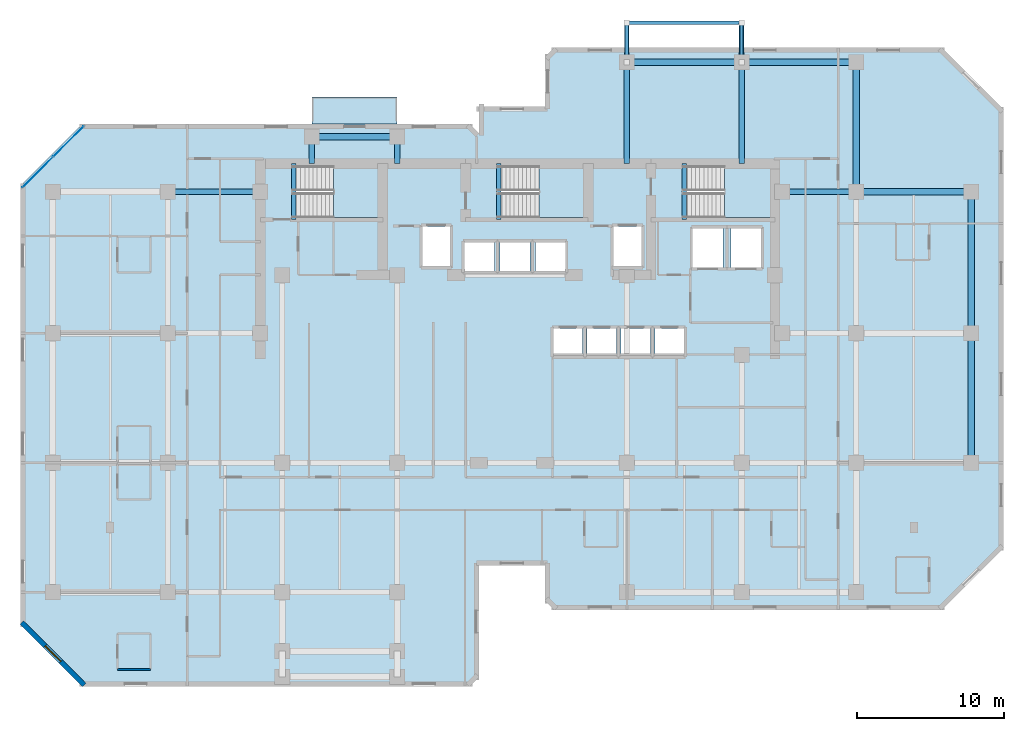
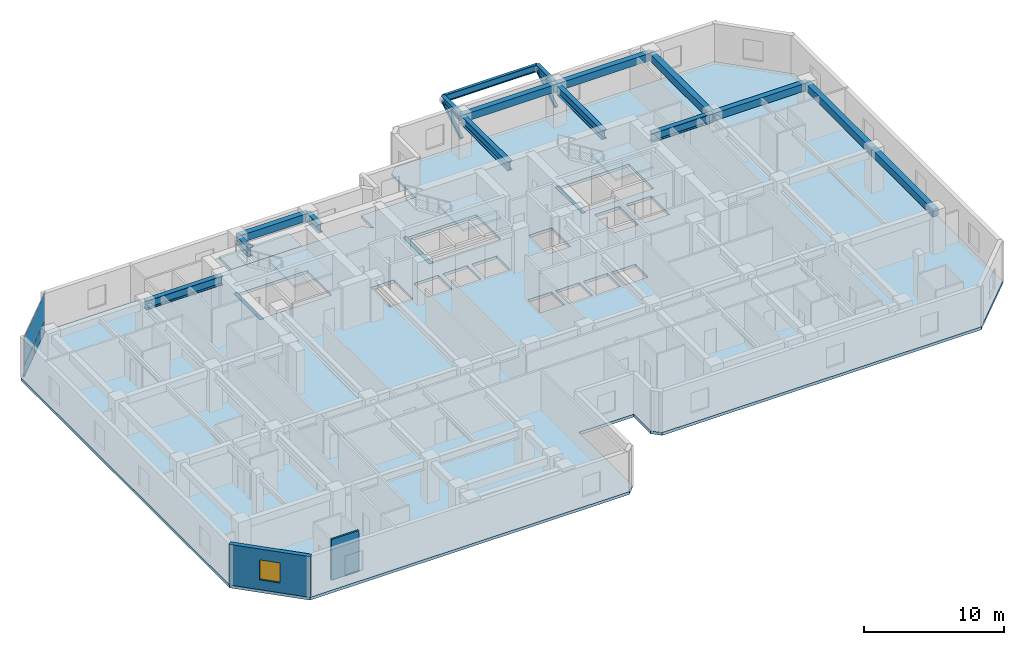
# One storey, part 3 of 9: 19 beams, 5 slabs, 4 plates, 2 members, 2 walls, 1 window, 1 opening, 4 elements without a shape of their own.
"""IFC4 building model written with IfcOpenShell, lengths in metres."""

import ifcopenshell
import ifcopenshell.guid

model = None  # the IFC model being written
_history = None  # IfcOwnerHistory: only IFC2X3 demands one
_inside = {}  # id of a spatial element -> (the spatial element, [elements in it])
_under = {}  # id of a project, library or spatial element -> (it, [spatial elements below it])
_declared = {}  # id of a project -> (the project, [libraries it declares])
_typed = {}  # id of a type object -> (the type object, [elements of that type])
_made_of = {}  # id of a material, layer set ... -> (it, [elements and type objects made of it])


def new_model(schema):
    """Start an empty IFC model of exactly this schema.

    Asked for "IFC4X3", IfcOpenShell would pick the latest addendum, in which some entities
    have other attributes; the version numbers below select the first issue.
    IFC2X3 requires an IfcOwnerHistory on every rooted entity: one is made here for all.
    """
    global model, _history
    if schema == "IFC4X3":
        model = ifcopenshell.file(schema_version=(4, 3, 0, 0))
    else:
        model = ifcopenshell.file(schema=schema)
    _inside.clear()
    _under.clear()
    _declared.clear()
    _typed.clear()
    _made_of.clear()
    _history = None
    if model.schema == "IFC2X3":
        org = make("IfcOrganization", Name="unknown")
        user = make(
            "IfcPersonAndOrganization",
            ThePerson=make("IfcPerson", FamilyName="unknown"),
            TheOrganization=org,
        )
        app = make(
            "IfcApplication",
            ApplicationDeveloper=org,
            Version="unknown",
            ApplicationFullName="unknown",
            ApplicationIdentifier="unknown",
        )
        _history = make(
            "IfcOwnerHistory",
            OwningUser=user,
            OwningApplication=app,
            ChangeAction="ADDED",
            CreationDate=0,
        )
    return model


def make(cls, **values):
    """One entity of the class cls with the attributes given. An attribute that is None is left unset."""
    return model.create_entity(
        cls, **{name: value for name, value in values.items() if value is not None}
    )


def rooted(cls, **values):
    """An entity with a GlobalId (a new one), such as an element, a storey or a relation."""
    return make(cls, GlobalId=ifcopenshell.guid.new(), OwnerHistory=_history, **values)


def si_unit(unit_type, name, prefix=None):
    """IfcSIUnit, for example si_unit("LENGTHUNIT", "METRE", prefix="MILLI")."""
    return make("IfcSIUnit", UnitType=unit_type, Prefix=prefix, Name=name)


def assignment(units):
    """IfcUnitAssignment: the units of a project."""
    return None if units is None else make("IfcUnitAssignment", Units=units)


def point(xyz):
    """IfcCartesianPoint."""
    return None if xyz is None else make("IfcCartesianPoint", Coordinates=xyz)


def direction(xyz):
    """IfcDirection."""
    return None if xyz is None else make("IfcDirection", DirectionRatios=xyz)


def frame(location, z_axis=None, x_axis=None):
    """IfcAxis2Placement3D, a coordinate frame: its origin and axes. An axis left out is left unset."""
    return make(
        "IfcAxis2Placement3D",
        Location=point(location),
        Axis=direction(z_axis),
        RefDirection=direction(x_axis),
    )


def frame_2d(location, x_axis=None):
    """IfcAxis2Placement2D, a coordinate frame in the plane: its origin and x axis."""
    return make(
        "IfcAxis2Placement2D", Location=point(location), RefDirection=direction(x_axis)
    )


def origin():
    """The frame at (0, 0, 0) with its axes left unset."""
    return frame((0.0, 0.0, 0.0))


def origin_2d():
    """The frame at (0, 0) in the plane with its x axis left unset."""
    return frame_2d((0.0, 0.0))


def place(relative_to, where):
    """IfcLocalPlacement: puts the frame where relative to a parent placement (None: the world)."""
    return make(
        "IfcLocalPlacement", PlacementRelTo=relative_to, RelativePlacement=where
    )


def context(
    kind, dimensions, precision=None, world=None, true_north=None, identifier=None
):
    """IfcGeometricRepresentationContext, for example the 3D "Model" context."""
    return make(
        "IfcGeometricRepresentationContext",
        ContextIdentifier=identifier,
        ContextType=kind,
        CoordinateSpaceDimension=dimensions,
        Precision=precision,
        WorldCoordinateSystem=world,
        TrueNorth=true_north,
    )


def subcontext(parent, identifier, kind, view, scale=None):
    """IfcGeometricRepresentationSubContext, for example "Body" below "Model"."""
    return make(
        "IfcGeometricRepresentationSubContext",
        ContextIdentifier=identifier,
        ContextType=kind,
        ParentContext=parent,
        TargetScale=scale,
        TargetView=view,
    )


def project(units=None, contexts=None):
    """IfcProject with its units and contexts."""
    return rooted(
        "IfcProject",
        Name="project",
        RepresentationContexts=contexts,
        UnitsInContext=assignment(units),
    )


def spatial(cls, under=None, at=None, **own):
    """A site, building, storey or space (cls), placed at a placement, below another one or the project."""
    s = rooted(cls, ObjectPlacement=at, **own)
    if under is not None:
        _under.setdefault(under.id(), (under, []))[1].append(s)
    return s


def polyline(points):
    """IfcPolyline through the points."""
    return make("IfcPolyline", Points=[point(p) for p in points])


def profile(cls, at=None, kind="AREA", **sizes):
    """A parametric profile (cls). Its sizes go by their IFC names, for example OverallWidth=200.0."""
    return make(cls, ProfileType=kind, Position=at, **sizes)


def rectangle(**sizes):
    """IfcRectangleProfileDef."""
    return profile("IfcRectangleProfileDef", **sizes)


def hollow_rectangle(**sizes):
    """IfcRectangleHollowProfileDef."""
    return profile("IfcRectangleHollowProfileDef", **sizes)


def i_section(**sizes):
    """IfcIShapeProfileDef."""
    return profile("IfcIShapeProfileDef", **sizes)


def outline(outer, holes=None, kind="AREA"):
    """IfcArbitraryClosedProfileDef: a profile drawn as a closed curve; with holes, ...WithVoids."""
    if holes is None:
        return make("IfcArbitraryClosedProfileDef", ProfileType=kind, OuterCurve=outer)
    return make(
        "IfcArbitraryProfileDefWithVoids",
        ProfileType=kind,
        OuterCurve=outer,
        InnerCurves=holes,
    )


def extrude(swept, where, along, depth):
    """IfcExtrudedAreaSolid: the profile swept, set in the frame where, extruded along a direction by depth."""
    return make(
        "IfcExtrudedAreaSolid",
        SweptArea=swept,
        Position=where,
        ExtrudedDirection=direction(along),
        Depth=depth,
    )


def shape(context_of_items, identifier, shape_type, items):
    """IfcShapeRepresentation: the items that make up one representation, for example the "Body"."""
    return make(
        "IfcShapeRepresentation",
        ContextOfItems=context_of_items,
        RepresentationIdentifier=identifier,
        RepresentationType=shape_type,
        Items=items,
    )


def material(Name=None, Category=None):
    """IfcMaterial."""
    return make("IfcMaterial", Name=Name, Category=Category)


def layer(
    of_material, thickness, ventilated=None, Name=None, Category=None, Priority=None
):
    """IfcMaterialLayer: one layer of a wall or slab, of a material (None: an air gap)."""
    return make(
        "IfcMaterialLayer",
        Material=of_material,
        LayerThickness=thickness,
        IsVentilated=ventilated,
        Name=Name,
        Category=Category,
        Priority=Priority,
    )


def layer_set(layers, Name=None):
    """IfcMaterialLayerSet."""
    return make("IfcMaterialLayerSet", MaterialLayers=layers, LayerSetName=Name)


def material_profile(
    of_material, cross_section, Name=None, Category=None, Priority=None
):
    """IfcMaterialProfile: a cross section and its material."""
    return make(
        "IfcMaterialProfile",
        Name=Name,
        Material=of_material,
        Profile=cross_section,
        Priority=Priority,
        Category=Category,
    )


def profile_set(profiles, Name=None, composite=None):
    """IfcMaterialProfileSet."""
    return make(
        "IfcMaterialProfileSet",
        Name=Name,
        MaterialProfiles=profiles,
        CompositeProfile=composite,
    )


def made_of(thing, what):
    """Note that an element or type object is made of a material, layer set ...; save() writes the relation."""
    if what is not None:
        _made_of.setdefault(what.id(), (what, []))[1].append(thing)
    return thing


def type_object(cls, material=None, **own):
    """A type object (cls), such as IfcWallType, which elements share."""
    return made_of(rooted(cls, **own), material)


def element(
    cls,
    number,
    at=None,
    inside=None,
    cuts=None,
    type_object=None,
    material=None,
    context=None,
    identifier="Body",
    shape_type=None,
    held_by="IfcProductDefinitionShape",
    body=None,
    shapes=None,
    **own,
):
    """One element of the class cls, such as IfcWall. Its Tag is "e" and its number.

    at: its placement. inside: the storey or other place that contains it. cuts: it is an
    opening in that element (IfcRelVoidsElement). A single representation is given by context,
    identifier, shape_type and body (its items); several are given by shapes. held_by: the class
    of the entity that holds the representations. save() writes the other relations.
    """
    e = rooted(cls, Tag="e%d" % number, ObjectPlacement=at, **own)
    if body is not None:
        shapes = [shape(context, identifier, shape_type, body)]
    if shapes is not None:
        e.Representation = make(held_by, Representations=shapes)
    if inside is not None:
        _inside.setdefault(inside.id(), (inside, []))[1].append(e)
    if cuts is not None:
        rooted(
            "IfcRelVoidsElement", RelatingBuildingElement=cuts, RelatedOpeningElement=e
        )
    if type_object is not None:
        _typed.setdefault(type_object.id(), (type_object, []))[1].append(e)
    return made_of(e, material)


def fill(opening, filler):
    """IfcRelFillsElement: the door or window that sits in an opening."""
    return rooted(
        "IfcRelFillsElement",
        RelatingOpeningElement=opening,
        RelatedBuildingElement=filler,
    )


def aggregate(whole, parts):
    """IfcRelAggregates: a whole, such as a stair, and the parts it consists of."""
    return rooted("IfcRelAggregates", RelatingObject=whole, RelatedObjects=parts)


def save(model, path):
    """Write the relations noted so far, then the file.

    IfcRelAggregates (storeys below a building ...), IfcRelContainedInSpatialStructure (elements
    in a storey), IfcRelDefinesByType, IfcRelAssociatesMaterial and IfcRelDeclares: one each for
    every whole, place, type object, material and project.
    """
    for whole, parts in _under.values():
        aggregate(whole, parts)
    for where, things in _inside.values():
        rooted(
            "IfcRelContainedInSpatialStructure",
            RelatedElements=things,
            RelatingStructure=where,
        )
    for kind, things in _typed.values():
        rooted("IfcRelDefinesByType", RelatedObjects=things, RelatingType=kind)
    for what, things in _made_of.values():
        rooted("IfcRelAssociatesMaterial", RelatedObjects=things, RelatingMaterial=what)
    for by, libraries in _declared.values():
        rooted("IfcRelDeclares", RelatingContext=by, RelatedDefinitions=libraries)
    model.write(path)


model = new_model("IFC4")

# Units and contexts
model_context = context("Model", 3, precision=1e-05, world=origin(), true_north=direction((0.0, 1.0)))
body_context = subcontext(model_context, "Body", "Model", "MODEL_VIEW")
ifc_project = project(units=[si_unit("LENGTHUNIT", "METRE"), si_unit("AREAUNIT", "SQUARE_METRE"), si_unit("VOLUMEUNIT", "CUBIC_METRE"), si_unit("PLANEANGLEUNIT", "RADIAN"), si_unit("MASSUNIT", "GRAM", prefix="KILO")], contexts=[model_context])

# Site, building, storey
site_placement = place(None, origin())
site = spatial("IfcSite", under=ifc_project, at=site_placement, CompositionType="ELEMENT")
building_placement = place(site_placement, origin())
building = spatial("IfcBuilding", under=site, at=building_placement, Name="Kestravale Grand Hotel", CompositionType="ELEMENT")
storey_placement = place(building_placement, frame((0.0, 0.0, 146.0)))
storey = spatial("IfcBuildingStorey", under=building, at=storey_placement, Name="L36", CompositionType="ELEMENT", Elevation=146.0)

# Beams
ifc_material_1 = material(Name="Concrete f'c 45 MPa", Category="concrete")
ifc_material_profile_1 = material_profile(ifc_material_1, rectangle(XDim=0.300048828125, YDim=0.39990234375, at=origin_2d()))
ifc_profile_set_1 = profile_set([ifc_material_profile_1], Name="Concrete f'c 45 MPa")
beam_type_1 = type_object("IfcBeamType", Name="B-FLR-LNT400", PredefinedType="LINTEL", material=ifc_profile_set_1)
for number, where, z_axis, x_axis, name in (
    (1, (24.159912109375, 36.52001953125, -0.199951171875), (0.0, 1.0, 0.0), (-1.0, 0.0, 0.0), "L36 ST1 flight bottom header beam"),
    (2, (38.110107421875, 36.52001953125, -0.199951171875), (0.0, 1.0, 0.0), (-1.0, 0.0, 0.0), "L36 ST2 flight bottom header beam"),
    (3, (50.7099609375, 36.52001953125, -0.199951171875), (0.0, 1.0, 0.0), (-1.0, 0.0, 0.0), "L36 ST3 flight bottom header beam"),
):
    element("IfcBeam", number, at=place(storey_placement, frame(where, z_axis=z_axis, x_axis=x_axis)), inside=storey, type_object=beam_type_1, Name=name, PredefinedType="LINTEL", context=body_context, shape_type="SweptSolid", body=[
        extrude(rectangle(XDim=0.300048828125, YDim=0.39990234375, at=origin_2d()), origin(), (0.0, 0.0, 1.0), 3.800048828125),
    ])
ifc_material_2 = material(Name="Concrete f'c 45 MPa", Category="concrete")
ifc_material_profile_2 = material_profile(ifc_material_2, rectangle(XDim=0.449951171875, YDim=0.64990234375, at=origin_2d()))
ifc_profile_set_2 = profile_set([ifc_material_profile_2], Name="Concrete f'c 45 MPa")
beam_type_2 = type_object("IfcBeamType", Name="B-FLR-RC650", PredefinedType="SPANDREL", material=ifc_profile_set_2)
for number, where, z_axis, x_axis, name in (
    (4, (62.39990234375, 38.39990234375, 3.22509765625), (1.0, 0.0, 0.0), (0.0, 1.0, 0.0), "L36 spandrel F:10-11"),
    (5, (46.800048828125, 47.199951171875, 3.22509765625), (1.0, 0.0, 0.0), (0.0, 1.0, 0.0), "L36 spandrel G:8-9"),
):
    element("IfcBeam", number, at=place(storey_placement, frame(where, z_axis=z_axis, x_axis=x_axis)), inside=storey, type_object=beam_type_2, Name=name, PredefinedType="SPANDREL", context=body_context, shape_type="SweptSolid", body=[
        extrude(rectangle(XDim=0.449951171875, YDim=0.64990234375, at=origin_2d()), origin(), (0.0, 0.0, 1.0), 7.800048828125),
    ])
beam_1_placement = place(storey_placement, frame((54.60009765625, 47.199951171875, 3.22509765625), z_axis=(1.0, 0.0, 0.0), x_axis=(0.0, 1.0, 0.0)))
element("IfcBeam", 6, at=beam_1_placement, inside=storey, type_object=beam_type_2, Name="L36 spandrel G:9-10", PredefinedType="SPANDREL", context=body_context, shape_type="SweptSolid", body=[
    extrude(rectangle(XDim=0.449951171875, YDim=0.64990234375, at=origin_2d()), origin(), (0.0, 0.0, 1.0), 7.7998046875),
])
beam_2_placement = place(storey_placement, frame((25.39990234375, 42.14990234375, 3.22509765625), z_axis=(1.0, 0.0, 0.0), x_axis=(0.0, 1.0, 0.0)))
element("IfcBeam", 7, at=beam_2_placement, inside=storey, type_object=beam_type_2, Name="L36 perimeter tie spandrel FN:4-5", PredefinedType="SPANDREL", context=body_context, shape_type="SweptSolid", body=[
    extrude(rectangle(XDim=0.449951171875, YDim=0.64990234375, at=origin_2d()), origin(), (0.0, 0.0, 1.0), 5.800048828125),
])
for number, where, z_axis, x_axis, name in (
    (8, (62.39990234375, 38.39990234375, 3.22509765625), (0.0, 1.0, 0.0), (-1.0, 0.0, 0.0), "L36 spandrel 10:F-G"),
    (9, (70.199951171875, 20.0, 3.22509765625), (0.0, 1.0, 0.0), (-1.0, 0.0, 0.0), "L36 spandrel 11:D-E"),
):
    element("IfcBeam", number, at=place(storey_placement, frame(where, z_axis=z_axis, x_axis=x_axis)), inside=storey, type_object=beam_type_2, Name=name, PredefinedType="SPANDREL", context=body_context, shape_type="SweptSolid", body=[
        extrude(rectangle(XDim=0.449951171875, YDim=0.64990234375, at=origin_2d()), origin(), (0.0, 0.0, 1.0), 8.800048828125),
    ])
beam_3_placement = place(storey_placement, frame((70.199951171875, 28.800048828125, 3.22509765625), z_axis=(0.0, 1.0, 0.0), x_axis=(-1.0, 0.0, 0.0)))
element("IfcBeam", 10, at=beam_3_placement, inside=storey, type_object=beam_type_2, Name="L36 spandrel 11:E-F", PredefinedType="SPANDREL", context=body_context, shape_type="SweptSolid", body=[
    extrude(rectangle(XDim=0.449951171875, YDim=0.64990234375, at=origin_2d()), origin(), (0.0, 0.0, 1.0), 9.599853515625),
])
ifc_material_3 = material(Name="Steel ASTM A992 Grade 50", Category="steel")
ifc_material_profile_3 = material_profile(ifc_material_3, i_section(OverallWidth=0.324951171875, OverallDepth=0.612060546875, WebThickness=0.0126953125, FlangeThickness=0.01904296875, FilletRadius=0.018798828125, at=origin_2d()))
ifc_profile_set_3 = profile_set([ifc_material_profile_3], Name="Steel ASTM A992 Grade 50")
beam_type_3 = type_object("IfcBeamType", Name="B-FLR-W24A", PredefinedType="SPANDREL", material=ifc_profile_set_3)
for number, where, z_axis, x_axis, name in (
    (11, (46.800048828125, 47.199951171875, 3.22412109375), (0.0, 1.0, 0.0), (-1.0, 0.0, 0.0), "L37 terrace cantilever beam 1"),
    (12, (54.60009765625, 47.199951171875, 3.22412109375), (0.0, 1.0, 0.0), (-1.0, 0.0, 0.0), "L37 terrace cantilever beam 2"),
):
    element("IfcBeam", number, at=place(storey_placement, frame(where, z_axis=z_axis, x_axis=x_axis)), inside=storey, type_object=beam_type_3, Name=name, PredefinedType="SPANDREL", context=body_context, shape_type="SweptSolid", body=[
        extrude(i_section(OverallWidth=0.324951171875, OverallDepth=0.612060546875, WebThickness=0.0126953125, FlangeThickness=0.01904296875, FilletRadius=0.018798828125, at=origin_2d()), origin(), (0.0, 0.0, 1.0), 2.699951171875),
    ])
ifc_material_4 = material(Name="Steel ASTM A992 Grade 50", Category="steel")
ifc_material_profile_4 = material_profile(ifc_material_4, i_section(OverallWidth=0.22900390625, OverallDepth=0.612060546875, WebThickness=0.011962890625, FlangeThickness=0.01953125, FilletRadius=0.019287109375, at=origin_2d()))
ifc_profile_set_4 = profile_set([ifc_material_profile_4], Name="Steel ASTM A992 Grade 50")
beam_type_4 = type_object("IfcBeamType", Name="B-FLR-W24B", PredefinedType="SPANDREL", material=ifc_profile_set_4)
beam_4_placement = place(storey_placement, frame((46.800048828125, 49.89990234375, 3.22412109375), z_axis=(1.0, 0.0, 0.0), x_axis=(0.0, 1.0, 0.0)))
element("IfcBeam", 13, at=beam_4_placement, inside=storey, type_object=beam_type_4, Name="L37 terrace edge spandrel", PredefinedType="SPANDREL", context=body_context, shape_type="SweptSolid", body=[
    extrude(i_section(OverallWidth=0.22900390625, OverallDepth=0.612060546875, WebThickness=0.011962890625, FlangeThickness=0.01953125, FilletRadius=0.019287109375, at=origin_2d()), origin(), (0.0, 0.0, 1.0), 7.800048828125),
])
ifc_material_5 = material(Name="Steel ASTM A992 Grade 50", Category="steel")
ifc_material_profile_5 = material_profile(ifc_material_5, i_section(OverallWidth=0.381103515625, OverallDepth=0.77197265625, WebThickness=0.0166015625, FlangeThickness=0.027099609375, FilletRadius=0.023681640625, at=origin_2d()))
ifc_profile_set_5 = profile_set([ifc_material_profile_5], Name="Steel ASTM A992 Grade 50")
beam_type_5 = type_object("IfcBeamType", Name="B-GRD-W30", PredefinedType="BEAM", material=ifc_profile_set_5)
beam_5_placement = place(storey_placement, frame((15.60009765625, 38.39990234375, 3.1640625), z_axis=(1.0, 0.0, 0.0), x_axis=(0.0, 1.0, 0.0)))
element("IfcBeam", 14, at=beam_5_placement, inside=storey, type_object=beam_type_5, Name="L36 girder F:3-CW", PredefinedType="BEAM", context=body_context, shape_type="SweptSolid", body=[
    extrude(i_section(OverallWidth=0.381103515625, OverallDepth=0.77197265625, WebThickness=0.0166015625, FlangeThickness=0.027099609375, FilletRadius=0.023681640625, at=origin_2d()), origin(), (0.0, 0.0, 1.0), 6.2998046875),
])
beam_6_placement = place(storey_placement, frame((57.35009765625, 38.39990234375, 3.1640625), z_axis=(1.0, 0.0, 0.0), x_axis=(0.0, 1.0, 0.0)))
element("IfcBeam", 15, at=beam_6_placement, inside=storey, type_object=beam_type_5, Name="L36 girder F:CE-10", PredefinedType="BEAM", context=body_context, shape_type="SweptSolid", body=[
    extrude(i_section(OverallWidth=0.381103515625, OverallDepth=0.77197265625, WebThickness=0.0166015625, FlangeThickness=0.027099609375, FilletRadius=0.023681640625, at=origin_2d()), origin(), (0.0, 0.0, 1.0), 5.0498046875),
])
for number, where, z_axis, x_axis, name in (
    (16, (25.39990234375, 40.320068359375, 3.1640625), (0.0, 1.0, 0.0), (-1.0, 0.0, 0.0), "L36 north wing tie girder 4:CN-FN"),
    (17, (31.199951171875, 40.320068359375, 3.1640625), (0.0, 1.0, 0.0), (-1.0, 0.0, 0.0), "L36 north wing tie girder 5:CN-FN"),
):
    element("IfcBeam", number, at=place(storey_placement, frame(where, z_axis=z_axis, x_axis=x_axis)), inside=storey, type_object=beam_type_5, Name=name, PredefinedType="BEAM", context=body_context, shape_type="SweptSolid", body=[
        extrude(i_section(OverallWidth=0.381103515625, OverallDepth=0.77197265625, WebThickness=0.0166015625, FlangeThickness=0.027099609375, FilletRadius=0.023681640625, at=origin_2d()), origin(), (0.0, 0.0, 1.0), 1.829833984375),
    ])
for number, where, z_axis, x_axis, name in (
    (18, (46.800048828125, 40.320068359375, 3.1640625), (0.0, 1.0, 0.0), (-1.0, 0.0, 0.0), "L36 north wing tie girder 8:CN-G"),
    (19, (54.60009765625, 40.320068359375, 3.1640625), (0.0, 1.0, 0.0), (-1.0, 0.0, 0.0), "L36 north wing tie girder 9:CN-G"),
):
    element("IfcBeam", number, at=place(storey_placement, frame(where, z_axis=z_axis, x_axis=x_axis)), inside=storey, type_object=beam_type_5, Name=name, PredefinedType="BEAM", context=body_context, shape_type="SweptSolid", body=[
        extrude(i_section(OverallWidth=0.381103515625, OverallDepth=0.77197265625, WebThickness=0.0166015625, FlangeThickness=0.027099609375, FilletRadius=0.023681640625, at=origin_2d()), origin(), (0.0, 0.0, 1.0), 6.8798828125),
    ])

# Members
ifc_material_6 = material(Name="Steel ASTM A500 Grade C", Category="steel")
ifc_material_profile_6 = material_profile(ifc_material_6, hollow_rectangle(XDim=0.25, YDim=0.25, WallThickness=0.011962890625, InnerFilletRadius=0.011962890625, OuterFilletRadius=0.02392578125, at=origin_2d()))
ifc_profile_set_6 = profile_set([ifc_material_profile_6], Name="Steel ASTM A500 Grade C")
member_type = type_object("IfcMemberType", Name="M-BLT-STR250", PredefinedType="STRUT", material=ifc_profile_set_6)
for number, where, z_axis, x_axis, name in (
    (20, (46.800048828125, 47.199951171875, 1.3740234375), (0.0, 0.84623539576, 0.532809210659), (-1.0, 0.0, 0.0), "L37 terrace knee-brace strut 1"),
    (21, (54.60009765625, 47.199951171875, 1.3740234375), (0.0, 0.84623539576, 0.532809210659), (-1.0, 0.0, 0.0), "L37 terrace knee-brace strut 2"),
):
    element("IfcMember", number, at=place(storey_placement, frame(where, z_axis=z_axis, x_axis=x_axis)), inside=storey, type_object=member_type, Name=name, PredefinedType="STRUT", context=body_context, shape_type="SweptSolid", body=[
        extrude(hollow_rectangle(XDim=0.25, YDim=0.25, WallThickness=0.011962890625, InnerFilletRadius=0.011962890625, OuterFilletRadius=0.02392578125, at=origin_2d()), origin(), (0.0, 0.0, 1.0), 3.1904296875),
    ])

# Curtain wall, plates
ifc_material_7 = material(Name="Thermally broken champagne-bronze aluminium and low-E glazing", Category="aluminium")
ifc_layer_1 = layer(ifc_material_7, 0.179931640625)
ifc_layer_set_1 = layer_set([ifc_layer_1], Name="CW-Z3")
curtain_wall_type = type_object("IfcCurtainWallType", Name="CW-Z3", PredefinedType="NOTDEFINED", material=ifc_layer_set_1)
curtain_wall_placement = place(storey_placement, origin())
curtain_wall = element("IfcCurtainWall", 22, at=curtain_wall_placement, inside=storey, type_object=curtain_wall_type, Name="L36 unitised curtain wall 18", PredefinedType="NOTDEFINED")
ifc_material_8 = material(Name="Insulated clear low-E double glazing IGU", Category="glass")
ifc_layer_2 = layer(ifc_material_8, 0.031982421875)
ifc_layer_set_2 = layer_set([ifc_layer_2], Name="CW-PNL-32")
plate_type = type_object("IfcPlateType", Name="CW-PNL-32", PredefinedType="CURTAIN_PANEL", material=ifc_layer_set_2)
plate_1_placement = place(storey_placement, frame((8.86572265625, 41.825439453125, 0.06494140625), z_axis=(0.0, 0.0, 1.0), x_axis=(-0.707106781187, -0.707106781187, 0.0)))
plate_1 = element("IfcPlate", 23, at=plate_1_placement, type_object=plate_type, Name="CW-Z3 panel 1.1", PredefinedType="CURTAIN_PANEL", context=body_context, shape_type="SweptSolid", body=[
    extrude(rectangle(XDim=2.892333984375, YDim=0.031982421875, at=origin_2d()), origin(), (0.0, 0.0, 1.0), 0.952392578125),
])
plate_2_placement = place(storey_placement, frame((8.86572265625, 41.825439453125, 1.08251953125), z_axis=(0.0, 0.0, 1.0), x_axis=(-0.707106781187, -0.707106781187, 0.0)))
plate_2 = element("IfcPlate", 24, at=plate_2_placement, type_object=plate_type, Name="CW-Z3 panel 1.2", PredefinedType="CURTAIN_PANEL", context=body_context, shape_type="SweptSolid", body=[
    extrude(rectangle(XDim=2.892333984375, YDim=0.031982421875, at=origin_2d()), origin(), (0.0, 0.0, 1.0), 2.402587890625),
])
plate_3_placement = place(storey_placement, frame((6.774658203125, 39.734130859375, 0.06494140625), z_axis=(0.0, 0.0, 1.0), x_axis=(-0.707106781187, -0.707106781187, 0.0)))
plate_3 = element("IfcPlate", 25, at=plate_3_placement, type_object=plate_type, Name="CW-Z3 panel 2.1", PredefinedType="CURTAIN_PANEL", context=body_context, shape_type="SweptSolid", body=[
    extrude(rectangle(XDim=2.892333984375, YDim=0.031982421875, at=origin_2d()), origin(), (0.0, 0.0, 1.0), 0.952392578125),
])
plate_4_placement = place(storey_placement, frame((6.774658203125, 39.734130859375, 1.08251953125), z_axis=(0.0, 0.0, 1.0), x_axis=(-0.707106781187, -0.707106781187, 0.0)))
plate_4 = element("IfcPlate", 26, at=plate_4_placement, type_object=plate_type, Name="CW-Z3 panel 2.2", PredefinedType="CURTAIN_PANEL", context=body_context, shape_type="SweptSolid", body=[
    extrude(rectangle(XDim=2.892333984375, YDim=0.031982421875, at=origin_2d()), origin(), (0.0, 0.0, 1.0), 2.402587890625),
])
aggregate(curtain_wall, [plate_1, plate_2, plate_3, plate_4])

# Slab
ifc_material_9 = material(Name="Concrete f'c 45 MPa", Category="concrete")
ifc_layer_3 = layer(ifc_material_9, 0.27001953125)
ifc_layer_set_3 = layer_set([ifc_layer_3], Name="ES-TERR-270")
slab_type_1 = type_object("IfcSlabType", Name="ES-TERR-270", PredefinedType="FLOOR", material=ifc_layer_set_3)
slab_1_placement = place(storey_placement, frame((0.0, 0.0, -0.27001953125)))
element("IfcSlab", 27, at=slab_1_placement, inside=storey, type_object=slab_type_1, Name="L36 spiralling planted garden terrace", PredefinedType="FLOOR", context=body_context, shape_type="SweptSolid", body=[
    extrude(outline(polyline([(25.39990234375, 43.0), (31.199951171875, 43.0), (31.199951171875, 44.85009765625), (25.39990234375, 44.85009765625), (25.39990234375, 43.0)])), origin(), (0.0, 0.0, 1.0), 0.27001953125),
])

# Stair, slab
ifc_material_10 = material(Name="Concrete f'c 45 MPa", Category="concrete")
stair_type = type_object("IfcStairType", Name="ST-CORE-380", PredefinedType="HALF_TURN_STAIR", material=ifc_material_10)
stair_1_placement = place(storey_placement, origin())
stair_1 = element("IfcStair", 28, at=stair_1_placement, inside=storey, type_object=stair_type, Name="L36 ST-1", PredefinedType="HALF_TURN_STAIR")
ifc_material_11 = material(Name="Concrete f'c 45 MPa", Category="concrete")
ifc_layer_4 = layer(ifc_material_11, 0.199951171875)
ifc_layer_set_4 = layer_set([ifc_layer_4], Name="SLB-ST-LND200")
slab_type_2 = type_object("IfcSlabType", Name="SLB-ST-LND200", PredefinedType="LANDING", material=ifc_layer_set_4)
slab_2_placement = place(storey_placement, frame((0.0, 0.0, 1.699951171875)))
slab_2 = element("IfcSlab", 29, at=slab_2_placement, type_object=slab_type_2, Name="ST-1 landing 1", PredefinedType="LANDING", context=body_context, shape_type="SweptSolid", body=[
    extrude(outline(polyline([(26.8798828125, 36.64990234375), (30.0, 36.64990234375), (30.0, 40.159912109375), (26.8798828125, 40.159912109375), (26.8798828125, 36.64990234375)])), origin(), (0.0, 0.0, 1.0), 0.199951171875),
])
aggregate(stair_1, [slab_2])

stair_2_placement = place(storey_placement, origin())
stair_2 = element("IfcStair", 30, at=stair_2_placement, inside=storey, type_object=stair_type, Name="L36 ST-2", PredefinedType="HALF_TURN_STAIR")
slab_3_placement = place(storey_placement, frame((0.0, 0.0, 1.699951171875)))
slab_3 = element("IfcSlab", 31, at=slab_3_placement, type_object=slab_type_2, Name="ST-2 landing 1", PredefinedType="LANDING", context=body_context, shape_type="SweptSolid", body=[
    extrude(outline(polyline([(40.830078125, 36.64990234375), (43.949951171875, 36.64990234375), (43.949951171875, 40.159912109375), (40.830078125, 40.159912109375), (40.830078125, 36.64990234375)])), origin(), (0.0, 0.0, 1.0), 0.199951171875),
])
aggregate(stair_2, [slab_3])

stair_3_placement = place(storey_placement, origin())
stair_3 = element("IfcStair", 32, at=stair_3_placement, inside=storey, type_object=stair_type, Name="L36 ST-3", PredefinedType="HALF_TURN_STAIR")
slab_4_placement = place(storey_placement, frame((0.0, 0.0, 1.699951171875)))
slab_4 = element("IfcSlab", 33, at=slab_4_placement, type_object=slab_type_2, Name="ST-3 landing 1", PredefinedType="LANDING", context=body_context, shape_type="SweptSolid", body=[
    extrude(outline(polyline([(53.429931640625, 36.64990234375), (56.550048828125, 36.64990234375), (56.550048828125, 40.159912109375), (53.429931640625, 40.159912109375), (53.429931640625, 36.64990234375)])), origin(), (0.0, 0.0, 1.0), 0.199951171875),
])
aggregate(stair_3, [slab_4])

# Slab
ifc_material_12 = material(Name="Concrete f'c 45 MPa", Category="concrete")
ifc_layer_5 = layer(ifc_material_12, 0.25)
ifc_layer_set_5 = layer_set([ifc_layer_5], Name="SS-FLR-250")
slab_type_3 = type_object("IfcSlabType", Name="SS-FLR-250", PredefinedType="FLOOR", material=ifc_layer_set_5)
slab_5_placement = place(storey_placement, frame((0.0, 0.0, -0.25)))
element("IfcSlab", 34, at=slab_5_placement, inside=storey, type_object=slab_type_3, Name="L36 structural floor slab", PredefinedType="FLOOR", context=body_context, shape_type="SweptSolid", body=[
    extrude(outline(polyline([(9.800048828125, 4.800048828125), (36.14990234375, 4.800048828125), (36.75, 5.39990234375), (36.75, 13.0), (41.25, 13.0), (41.25, 10.60009765625), (41.85009765625, 10.0), (68.199951171875, 10.0), (72.39990234375, 14.199951171875), (72.39990234375, 44.0), (68.199951171875, 48.199951171875), (41.85009765625, 48.199951171875), (41.25, 47.60009765625), (41.25, 44.199951171875), (36.75, 44.199951171875), (36.75, 42.39990234375), (36.14990234375, 43.0), (9.800048828125, 43.0), (5.60009765625, 38.800048828125), (5.60009765625, 9.0), (9.800048828125, 4.800048828125)]), holes=[polyline([(24.080078125, 36.64990234375), (30.0, 36.64990234375), (30.0, 40.159912109375), (24.080078125, 40.159912109375), (24.080078125, 36.64990234375)]), polyline([(38.030029296875, 36.64990234375), (43.949951171875, 36.64990234375), (43.949951171875, 40.159912109375), (38.030029296875, 40.159912109375), (38.030029296875, 36.64990234375)]), polyline([(50.6298828125, 36.64990234375), (56.550048828125, 36.64990234375), (56.550048828125, 40.159912109375), (50.6298828125, 40.159912109375), (50.6298828125, 36.64990234375)]), polyline([(41.804931640625, 27.280029296875), (43.794921875, 27.280029296875), (43.794921875, 29.1201171875), (41.804931640625, 29.1201171875), (41.804931640625, 27.280029296875)]), polyline([(44.10498046875, 27.280029296875), (46.094970703125, 27.280029296875), (46.094970703125, 29.1201171875), (44.10498046875, 29.1201171875), (44.10498046875, 27.280029296875)]), polyline([(46.405029296875, 27.280029296875), (48.39501953125, 27.280029296875), (48.39501953125, 29.1201171875), (46.405029296875, 29.1201171875), (46.405029296875, 27.280029296875)]), polyline([(48.705078125, 27.280029296875), (50.695068359375, 27.280029296875), (50.695068359375, 29.1201171875), (48.705078125, 29.1201171875), (48.705078125, 27.280029296875)]), polyline([(35.780029296875, 33.030029296875), (37.820068359375, 33.030029296875), (37.820068359375, 34.969970703125), (35.780029296875, 34.969970703125), (35.780029296875, 33.030029296875)]), polyline([(38.179931640625, 33.030029296875), (40.219970703125, 33.030029296875), (40.219970703125, 34.969970703125), (38.179931640625, 34.969970703125), (38.179931640625, 33.030029296875)]), polyline([(40.580078125, 33.030029296875), (42.6201171875, 33.030029296875), (42.6201171875, 34.969970703125), (40.580078125, 34.969970703125), (40.580078125, 33.030029296875)]), polyline([(32.905029296875, 33.35498046875), (34.794921875, 33.35498046875), (34.794921875, 36.044921875), (32.905029296875, 36.044921875), (32.905029296875, 33.35498046875)]), polyline([(45.905029296875, 33.35498046875), (47.794921875, 33.35498046875), (47.794921875, 36.044921875), (45.905029296875, 36.044921875), (45.905029296875, 33.35498046875)]), polyline([(51.280029296875, 33.280029296875), (53.320068359375, 33.280029296875), (53.320068359375, 35.919921875), (51.280029296875, 35.919921875), (51.280029296875, 33.280029296875)]), polyline([(53.8798828125, 33.280029296875), (55.919921875, 33.280029296875), (55.919921875, 35.919921875), (53.8798828125, 35.919921875), (53.8798828125, 33.280029296875)])]), origin(), (0.0, 0.0, 1.0), 0.25),
])

# Wall, opening, window
ifc_material_13 = material(Name="Precast concrete f'c 45 MPa", Category="concrete")
ifc_layer_6 = layer(ifc_material_13, 0.340087890625)
ifc_layer_set_6 = layer_set([ifc_layer_6], Name="EW-PREC-340")
wall_type_1 = type_object("IfcWallType", Name="EW-PREC-340", PredefinedType="SOLIDWALL", material=ifc_layer_set_6)
wall_1_placement = place(storey_placement, frame((5.69189453125, 9.1484375, 0.0), z_axis=(0.0, 0.0, 1.0), x_axis=(0.707106781187, -0.707106781187, 0.0)))
wall_1 = element("IfcWall", 35, at=wall_1_placement, inside=storey, type_object=wall_type_1, Name="L36 fluted precast facade wall 20", PredefinedType="SOLIDWALL", context=body_context, shape_type="SweptSolid", body=[
    extrude(rectangle(XDim=6.019775390625, YDim=0.340087890625, at=frame_2d((3.009765625, 0.0))), origin(), (0.0, 0.0, 1.0), 3.550048828125),
])
opening_placement = place(wall_1_placement, frame((2.260009765625, 0.0, 0.85009765625)))
opening = element("IfcOpeningElement", 36, at=opening_placement, cuts=wall_1, Name="Opening W-GUEST-1500", PredefinedType="OPENING", context=body_context, shape_type="SweptSolid", body=[
    extrude(rectangle(XDim=1.5, YDim=1.75, at=frame_2d((0.75, 0.875))), frame((0.0, 0.179931640625, 0.0), z_axis=(0.0, -1.0, 0.0), x_axis=(1.0, 0.0, 0.0)), (0.0, 0.0, 1.0), 0.360107421875),
])
ifc_material_14 = material(Name="Insulated low-E double glazing in aluminium frame", Category="aluminium")
window_type = type_object("IfcWindowType", Name="W-GUEST-1500", PartitioningType="SINGLE_PANEL", PredefinedType="WINDOW", material=ifc_material_14)
window_placement = place(opening_placement, origin())
window = element("IfcWindow", 37, at=window_placement, inside=storey, type_object=window_type, Name="L36 exterior window 20.1", OverallHeight=1.75, OverallWidth=1.5, PartitioningType="SINGLE_PANEL", PredefinedType="WINDOW", context=body_context, shape_type="SweptSolid", body=[
    extrude(rectangle(XDim=1.5, YDim=1.75, at=frame_2d((0.75, 0.875))), frame((0.0, 0.030029296875, 0.0), z_axis=(0.0, -1.0, 0.0), x_axis=(1.0, 0.0, 0.0)), (0.0, 0.0, 1.0), 0.06005859375),
])
fill(opening, window)

# Wall
ifc_material_15 = material(Name="Moisture-resistant tile-backer plumbing chase wall", Category="other")
ifc_layer_7 = layer(ifc_material_15, 0.139892578125)
ifc_layer_set_7 = layer_set([ifc_layer_7], Name="IW-PLB-140")
wall_type_2 = type_object("IfcWallType", Name="IW-PLB-140", PredefinedType="PLUMBINGWALL", material=ifc_layer_set_7)
wall_2_placement = place(storey_placement, frame((12.199951171875, 5.949951171875, 0.0), z_axis=(0.0, 0.0, 1.0), x_axis=(1.0, 0.0, 0.0)))
element("IfcWall", 38, at=wall_2_placement, inside=storey, type_object=wall_type_2, Name="W-L36-U03-BS", PredefinedType="PLUMBINGWALL", context=body_context, shape_type="SweptSolid", body=[
    extrude(rectangle(XDim=2.25, YDim=0.139892578125, at=frame_2d((1.125, 0.0))), origin(), (0.0, 0.0, 1.0), 3.550048828125),
])

save(model, "model.ifc")
